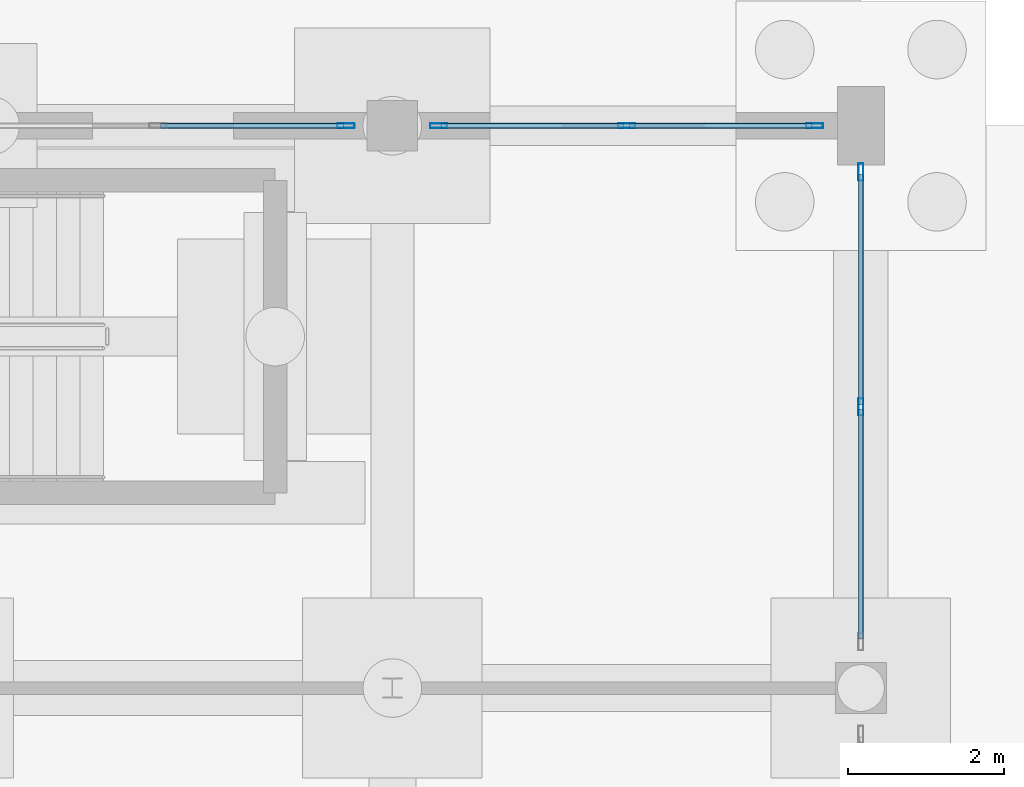
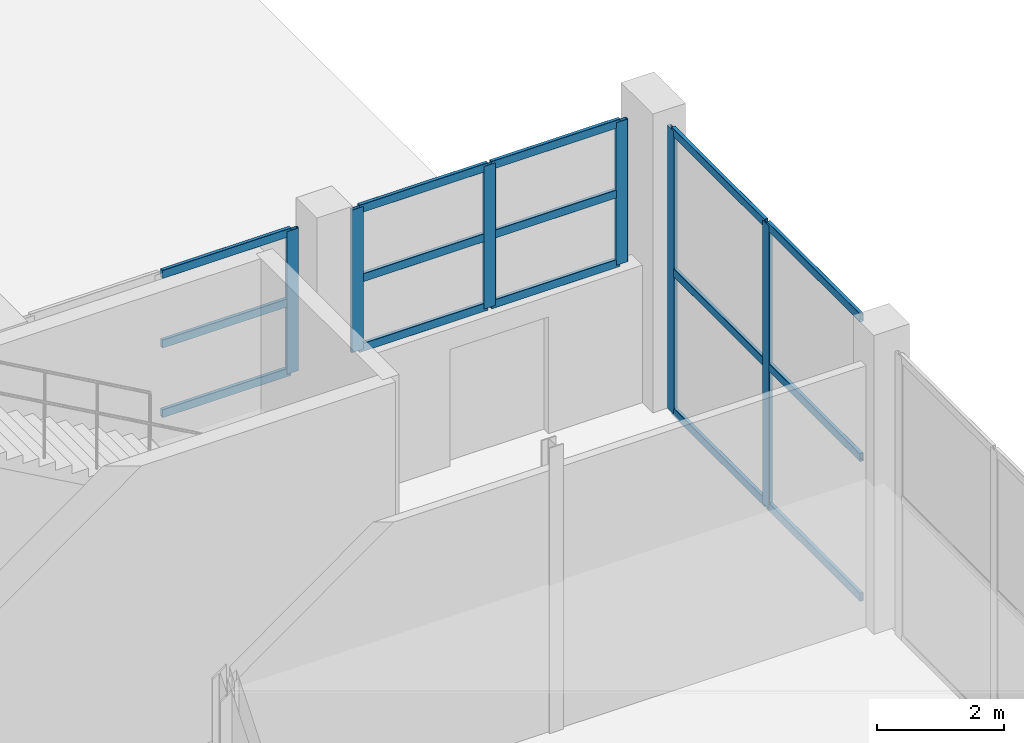
# One storey, part 67 of 103: 21 members, 3 elements without a shape of their own.
"""IFC4 building model written with IfcOpenShell, lengths in metres."""

from ifc_helpers import new_model, si_unit, direction, frame, origin, origin_2d, place, context, subcontext, project, spatial, hollow_rectangle, extrude, material, layer, layer_set, material_profile, profile_set, type_object, element, aggregate, save


model = new_model("IFC4")

# Units and contexts
model_context = context("Model", 3, precision=1e-05, world=origin(), true_north=direction((0.0, 1.0)))
body_context = subcontext(model_context, "Body", "Model", "MODEL_VIEW")
ifc_project = project(units=[si_unit("LENGTHUNIT", "METRE"), si_unit("AREAUNIT", "SQUARE_METRE"), si_unit("VOLUMEUNIT", "CUBIC_METRE"), si_unit("PLANEANGLEUNIT", "RADIAN"), si_unit("MASSUNIT", "GRAM", prefix="KILO")], contexts=[model_context])

# Site, building, storey
site_placement = place(None, origin())
site = spatial("IfcSite", under=ifc_project, at=site_placement, CompositionType="ELEMENT")
building_placement = place(site_placement, origin())
building = spatial("IfcBuilding", under=site, at=building_placement, Name="Dunvalen Ferry Terminal", CompositionType="ELEMENT")
storey_placement = place(building_placement, origin())
storey = spatial("IfcBuildingStorey", under=building, at=storey_placement, Name="L00", CompositionType="ELEMENT", Elevation=0.0)

# Curtain wall, member
ifc_material_1 = material(Name="Anodised marine aluminium and solar-control glazing", Category="aluminium")
ifc_layer_1 = layer(ifc_material_1, 0.219970703125, Name="Anodised marine aluminium and solar-control glazing")
ifc_layer_set_1 = layer_set([ifc_layer_1], Name="Anodised marine aluminium and solar-control glazing")
curtain_wall_type_1 = type_object("IfcCurtainWallType", Name="ENV-CW-SYS-01", PredefinedType="NOTDEFINED", material=ifc_layer_set_1)
curtain_wall_1_placement = place(storey_placement, origin())
curtain_wall_1 = element("IfcCurtainWall", 1, at=curtain_wall_1_placement, inside=storey, type_object=curtain_wall_type_1, Name="L00 Curtain Wall CW-V2N-L00-09", PredefinedType="NOTDEFINED")
ifc_material_2 = material(Name="Anodised marine aluminium EN AW-6063 T6", Category="aluminium")
ifc_material_profile_1 = material_profile(ifc_material_2, hollow_rectangle(XDim=0.06494140625, YDim=0.219970703125, WallThickness=0.00390625, InnerFilletRadius=0.00390625, OuterFilletRadius=0.008056640625, at=origin_2d()), Name="Anodised marine aluminium EN AW-6063 T6")
ifc_profile_set_1 = profile_set([ifc_material_profile_1], Name="Anodised marine aluminium EN AW-6063 T6")
member_type_1 = type_object("IfcMemberType", Name="ENV-CW-MUL-1", PredefinedType="MULLION", material=ifc_profile_set_1)
member_1_placement = place(storey_placement, frame((161.407470703125, 86.39990234375, 2.699951171875), z_axis=(0.0, 0.0, 1.0), x_axis=(0.0, 1.0, 0.0)))
member_1 = element("IfcMember", 2, at=member_1_placement, type_object=member_type_1, Name="CW-01 mullion 3", PredefinedType="MULLION", context=body_context, shape_type="SweptSolid", body=[
    extrude(hollow_rectangle(XDim=0.06494140625, YDim=0.219970703125, WallThickness=0.00390625, InnerFilletRadius=0.00390625, OuterFilletRadius=0.008056640625, at=origin_2d()), origin(), (0.0, 0.0, 1.0), 2.75),
])

# Curtain wall, members
curtain_wall_2_placement = place(storey_placement, origin())
curtain_wall_2 = element("IfcCurtainWall", 3, at=curtain_wall_2_placement, inside=storey, type_object=curtain_wall_type_1, Name="L00 Curtain Wall CW-V2N-L00-10", PredefinedType="NOTDEFINED")
member_2_placement = place(storey_placement, frame((162.592529296875, 86.39990234375, 2.699951171875), z_axis=(0.0, 0.0, 1.0), x_axis=(0.0, 1.0, 0.0)))
member_2 = element("IfcMember", 4, at=member_2_placement, type_object=member_type_1, Name="CW-01 mullion 1", PredefinedType="MULLION", context=body_context, shape_type="SweptSolid", body=[
    extrude(hollow_rectangle(XDim=0.06494140625, YDim=0.219970703125, WallThickness=0.00390625, InnerFilletRadius=0.00390625, OuterFilletRadius=0.008056640625, at=origin_2d()), origin(), (0.0, 0.0, 1.0), 2.75),
])
member_3_placement = place(storey_placement, frame((165.0, 86.39990234375, 2.699951171875), z_axis=(0.0, 0.0, 1.0), x_axis=(0.0, 1.0, 0.0)))
member_3 = element("IfcMember", 5, at=member_3_placement, type_object=member_type_1, Name="CW-01 mullion 2", PredefinedType="MULLION", context=body_context, shape_type="SweptSolid", body=[
    extrude(hollow_rectangle(XDim=0.06494140625, YDim=0.219970703125, WallThickness=0.00390625, InnerFilletRadius=0.00390625, OuterFilletRadius=0.008056640625, at=origin_2d()), origin(), (0.0, 0.0, 1.0), 2.75),
])
member_4_placement = place(storey_placement, frame((167.407470703125, 86.39990234375, 2.699951171875), z_axis=(0.0, 0.0, 1.0), x_axis=(0.0, 1.0, 0.0)))
member_4 = element("IfcMember", 6, at=member_4_placement, type_object=member_type_1, Name="CW-01 mullion 3", PredefinedType="MULLION", context=body_context, shape_type="SweptSolid", body=[
    extrude(hollow_rectangle(XDim=0.06494140625, YDim=0.219970703125, WallThickness=0.00390625, InnerFilletRadius=0.00390625, OuterFilletRadius=0.008056640625, at=origin_2d()), origin(), (0.0, 0.0, 1.0), 2.75),
])

ifc_layer_2 = layer(ifc_material_1, 0.219970703125, Name="Anodised marine aluminium and solar-control glazing")
ifc_layer_set_2 = layer_set([ifc_layer_2], Name="Anodised marine aluminium and solar-control glazing")
curtain_wall_type_2 = type_object("IfcCurtainWallType", Name="ENV-CW-SYS-03", PredefinedType="NOTDEFINED", material=ifc_layer_set_2)
curtain_wall_3_placement = place(storey_placement, origin())
curtain_wall_3 = element("IfcCurtainWall", 7, at=curtain_wall_3_placement, inside=storey, type_object=curtain_wall_type_2, Name="L00 Curtain Wall CW-V2E-L00-4", PredefinedType="NOTDEFINED")
member_5_placement = place(storey_placement, frame((168.0, 82.800048828125, 0.0), z_axis=(0.0, 0.0, 1.0), x_axis=(-1.0, 0.0, 0.0)))
member_5 = element("IfcMember", 8, at=member_5_placement, type_object=member_type_1, Name="CW-03 mullion 2", PredefinedType="MULLION", context=body_context, shape_type="SweptSolid", body=[
    extrude(hollow_rectangle(XDim=0.06494140625, YDim=0.219970703125, WallThickness=0.00390625, InnerFilletRadius=0.00390625, OuterFilletRadius=0.008056640625, at=origin_2d()), origin(), (0.0, 0.0, 1.0), 5.449951171875),
])
member_6_placement = place(storey_placement, frame((168.0, 85.8076171875, 0.0), z_axis=(0.0, 0.0, 1.0), x_axis=(-1.0, 0.0, 0.0)))
member_6 = element("IfcMember", 9, at=member_6_placement, type_object=member_type_1, Name="CW-03 mullion 3", PredefinedType="MULLION", context=body_context, shape_type="SweptSolid", body=[
    extrude(hollow_rectangle(XDim=0.06494140625, YDim=0.219970703125, WallThickness=0.00390625, InnerFilletRadius=0.00390625, OuterFilletRadius=0.008056640625, at=origin_2d()), origin(), (0.0, 0.0, 1.0), 5.449951171875),
])

# Member
ifc_material_profile_2 = material_profile(ifc_material_2, hollow_rectangle(XDim=0.06494140625, YDim=0.159912109375, WallThickness=0.00341796875, InnerFilletRadius=0.00341796875, OuterFilletRadius=0.007080078125, at=origin_2d()), Name="Anodised marine aluminium EN AW-6063 T6")
ifc_profile_set_2 = profile_set([ifc_material_profile_2], Name="Anodised marine aluminium EN AW-6063 T6")
member_type_2 = type_object("IfcMemberType", Name="ENV-CW-TRN-1", PredefinedType="USERDEFINED", material=ifc_profile_set_2)
member_7_placement = place(storey_placement, frame((159.032470703125, 86.39990234375, 2.732421875), z_axis=(1.0, 0.0, 0.0), x_axis=(0.0, 1.0, 0.0)))
member_7 = element("IfcMember", 10, at=member_7_placement, type_object=member_type_2, Name="CW-01 transom 2.1", ObjectType="TRANSOM", PredefinedType="USERDEFINED", context=body_context, shape_type="SweptSolid", body=[
    extrude(hollow_rectangle(XDim=0.06494140625, YDim=0.159912109375, WallThickness=0.00341796875, InnerFilletRadius=0.00341796875, OuterFilletRadius=0.007080078125, at=origin_2d()), origin(), (0.0, 0.0, 1.0), 2.342529296875),
])

member_8_placement = place(storey_placement, frame((159.032470703125, 86.39990234375, 4.074951171875), z_axis=(1.0, 0.0, 0.0), x_axis=(0.0, 1.0, 0.0)))
member_8 = element("IfcMember", 11, at=member_8_placement, type_object=member_type_2, Name="CW-01 transom 2.2", ObjectType="TRANSOM", PredefinedType="USERDEFINED", context=body_context, shape_type="SweptSolid", body=[
    extrude(hollow_rectangle(XDim=0.06494140625, YDim=0.159912109375, WallThickness=0.00341796875, InnerFilletRadius=0.00341796875, OuterFilletRadius=0.007080078125, at=origin_2d()), origin(), (0.0, 0.0, 1.0), 2.342529296875),
])

member_9_placement = place(storey_placement, frame((159.032470703125, 86.39990234375, 5.41748046875), z_axis=(1.0, 0.0, 0.0), x_axis=(0.0, 1.0, 0.0)))
member_9 = element("IfcMember", 12, at=member_9_placement, type_object=member_type_2, Name="CW-01 transom 2.3", ObjectType="TRANSOM", PredefinedType="USERDEFINED", context=body_context, shape_type="SweptSolid", body=[
    extrude(hollow_rectangle(XDim=0.06494140625, YDim=0.159912109375, WallThickness=0.00341796875, InnerFilletRadius=0.00341796875, OuterFilletRadius=0.007080078125, at=origin_2d()), origin(), (0.0, 0.0, 1.0), 2.342529296875),
])

aggregate(curtain_wall_1, [member_1, member_7, member_8, member_9])

member_10_placement = place(storey_placement, frame((162.625, 86.39990234375, 2.732421875), z_axis=(1.0, 0.0, 0.0), x_axis=(0.0, 1.0, 0.0)))
member_10 = element("IfcMember", 13, at=member_10_placement, type_object=member_type_2, Name="CW-01 transom 1.1", ObjectType="TRANSOM", PredefinedType="USERDEFINED", context=body_context, shape_type="SweptSolid", body=[
    extrude(hollow_rectangle(XDim=0.06494140625, YDim=0.159912109375, WallThickness=0.00341796875, InnerFilletRadius=0.00341796875, OuterFilletRadius=0.007080078125, at=origin_2d()), origin(), (0.0, 0.0, 1.0), 2.342529296875),
])

member_11_placement = place(storey_placement, frame((162.625, 86.39990234375, 4.074951171875), z_axis=(1.0, 0.0, 0.0), x_axis=(0.0, 1.0, 0.0)))
member_11 = element("IfcMember", 14, at=member_11_placement, type_object=member_type_2, Name="CW-01 transom 1.2", ObjectType="TRANSOM", PredefinedType="USERDEFINED", context=body_context, shape_type="SweptSolid", body=[
    extrude(hollow_rectangle(XDim=0.06494140625, YDim=0.159912109375, WallThickness=0.00341796875, InnerFilletRadius=0.00341796875, OuterFilletRadius=0.007080078125, at=origin_2d()), origin(), (0.0, 0.0, 1.0), 2.342529296875),
])

member_12_placement = place(storey_placement, frame((162.625, 86.39990234375, 5.41748046875), z_axis=(1.0, 0.0, 0.0), x_axis=(0.0, 1.0, 0.0)))
member_12 = element("IfcMember", 15, at=member_12_placement, type_object=member_type_2, Name="CW-01 transom 1.3", ObjectType="TRANSOM", PredefinedType="USERDEFINED", context=body_context, shape_type="SweptSolid", body=[
    extrude(hollow_rectangle(XDim=0.06494140625, YDim=0.159912109375, WallThickness=0.00341796875, InnerFilletRadius=0.00341796875, OuterFilletRadius=0.007080078125, at=origin_2d()), origin(), (0.0, 0.0, 1.0), 2.342529296875),
])

member_13_placement = place(storey_placement, frame((165.032470703125, 86.39990234375, 2.732421875), z_axis=(1.0, 0.0, 0.0), x_axis=(0.0, 1.0, 0.0)))
member_13 = element("IfcMember", 16, at=member_13_placement, type_object=member_type_2, Name="CW-01 transom 2.1", ObjectType="TRANSOM", PredefinedType="USERDEFINED", context=body_context, shape_type="SweptSolid", body=[
    extrude(hollow_rectangle(XDim=0.06494140625, YDim=0.159912109375, WallThickness=0.00341796875, InnerFilletRadius=0.00341796875, OuterFilletRadius=0.007080078125, at=origin_2d()), origin(), (0.0, 0.0, 1.0), 2.342529296875),
])

member_14_placement = place(storey_placement, frame((165.032470703125, 86.39990234375, 4.074951171875), z_axis=(1.0, 0.0, 0.0), x_axis=(0.0, 1.0, 0.0)))
member_14 = element("IfcMember", 17, at=member_14_placement, type_object=member_type_2, Name="CW-01 transom 2.2", ObjectType="TRANSOM", PredefinedType="USERDEFINED", context=body_context, shape_type="SweptSolid", body=[
    extrude(hollow_rectangle(XDim=0.06494140625, YDim=0.159912109375, WallThickness=0.00341796875, InnerFilletRadius=0.00341796875, OuterFilletRadius=0.007080078125, at=origin_2d()), origin(), (0.0, 0.0, 1.0), 2.342529296875),
])

member_15_placement = place(storey_placement, frame((165.032470703125, 86.39990234375, 5.41748046875), z_axis=(1.0, 0.0, 0.0), x_axis=(0.0, 1.0, 0.0)))
member_15 = element("IfcMember", 18, at=member_15_placement, type_object=member_type_2, Name="CW-01 transom 2.3", ObjectType="TRANSOM", PredefinedType="USERDEFINED", context=body_context, shape_type="SweptSolid", body=[
    extrude(hollow_rectangle(XDim=0.06494140625, YDim=0.159912109375, WallThickness=0.00341796875, InnerFilletRadius=0.00341796875, OuterFilletRadius=0.007080078125, at=origin_2d()), origin(), (0.0, 0.0, 1.0), 2.342529296875),
])

aggregate(curtain_wall_2, [member_2, member_3, member_4, member_10, member_11, member_12, member_13, member_14, member_15])

member_16_placement = place(storey_placement, frame((168.0, 79.824951171875, 0.032470703125), z_axis=(0.0, 1.0, 0.0), x_axis=(-1.0, 0.0, 0.0)))
member_16 = element("IfcMember", 19, at=member_16_placement, type_object=member_type_2, Name="CW-03 transom 1.1", ObjectType="TRANSOM", PredefinedType="USERDEFINED", context=body_context, shape_type="SweptSolid", body=[
    extrude(hollow_rectangle(XDim=0.06494140625, YDim=0.159912109375, WallThickness=0.00341796875, InnerFilletRadius=0.00341796875, OuterFilletRadius=0.007080078125, at=origin_2d()), origin(), (0.0, 0.0, 1.0), 2.942626953125),
])

member_17_placement = place(storey_placement, frame((168.0, 79.824951171875, 2.72509765625), z_axis=(0.0, 1.0, 0.0), x_axis=(-1.0, 0.0, 0.0)))
member_17 = element("IfcMember", 20, at=member_17_placement, type_object=member_type_2, Name="CW-03 transom 1.2", ObjectType="TRANSOM", PredefinedType="USERDEFINED", context=body_context, shape_type="SweptSolid", body=[
    extrude(hollow_rectangle(XDim=0.06494140625, YDim=0.159912109375, WallThickness=0.00341796875, InnerFilletRadius=0.00341796875, OuterFilletRadius=0.007080078125, at=origin_2d()), origin(), (0.0, 0.0, 1.0), 2.942626953125),
])

member_18_placement = place(storey_placement, frame((168.0, 79.824951171875, 5.41748046875), z_axis=(0.0, 1.0, 0.0), x_axis=(-1.0, 0.0, 0.0)))
member_18 = element("IfcMember", 21, at=member_18_placement, type_object=member_type_2, Name="CW-03 transom 1.3", ObjectType="TRANSOM", PredefinedType="USERDEFINED", context=body_context, shape_type="SweptSolid", body=[
    extrude(hollow_rectangle(XDim=0.06494140625, YDim=0.159912109375, WallThickness=0.00341796875, InnerFilletRadius=0.00341796875, OuterFilletRadius=0.007080078125, at=origin_2d()), origin(), (0.0, 0.0, 1.0), 2.942626953125),
])

member_19_placement = place(storey_placement, frame((168.0, 82.83251953125, 0.032470703125), z_axis=(0.0, 1.0, 0.0), x_axis=(-1.0, 0.0, 0.0)))
member_19 = element("IfcMember", 22, at=member_19_placement, type_object=member_type_2, Name="CW-03 transom 2.1", ObjectType="TRANSOM", PredefinedType="USERDEFINED", context=body_context, shape_type="SweptSolid", body=[
    extrude(hollow_rectangle(XDim=0.06494140625, YDim=0.159912109375, WallThickness=0.00341796875, InnerFilletRadius=0.00341796875, OuterFilletRadius=0.007080078125, at=origin_2d()), origin(), (0.0, 0.0, 1.0), 2.9423828125),
])

member_20_placement = place(storey_placement, frame((168.0, 82.83251953125, 2.72509765625), z_axis=(0.0, 1.0, 0.0), x_axis=(-1.0, 0.0, 0.0)))
member_20 = element("IfcMember", 23, at=member_20_placement, type_object=member_type_2, Name="CW-03 transom 2.2", ObjectType="TRANSOM", PredefinedType="USERDEFINED", context=body_context, shape_type="SweptSolid", body=[
    extrude(hollow_rectangle(XDim=0.06494140625, YDim=0.159912109375, WallThickness=0.00341796875, InnerFilletRadius=0.00341796875, OuterFilletRadius=0.007080078125, at=origin_2d()), origin(), (0.0, 0.0, 1.0), 2.9423828125),
])

member_21_placement = place(storey_placement, frame((168.0, 82.83251953125, 5.41748046875), z_axis=(0.0, 1.0, 0.0), x_axis=(-1.0, 0.0, 0.0)))
member_21 = element("IfcMember", 24, at=member_21_placement, type_object=member_type_2, Name="CW-03 transom 2.3", ObjectType="TRANSOM", PredefinedType="USERDEFINED", context=body_context, shape_type="SweptSolid", body=[
    extrude(hollow_rectangle(XDim=0.06494140625, YDim=0.159912109375, WallThickness=0.00341796875, InnerFilletRadius=0.00341796875, OuterFilletRadius=0.007080078125, at=origin_2d()), origin(), (0.0, 0.0, 1.0), 2.9423828125),
])

aggregate(curtain_wall_3, [member_5, member_6, member_16, member_17, member_18, member_19, member_20, member_21])

save(model, "model.ifc")
